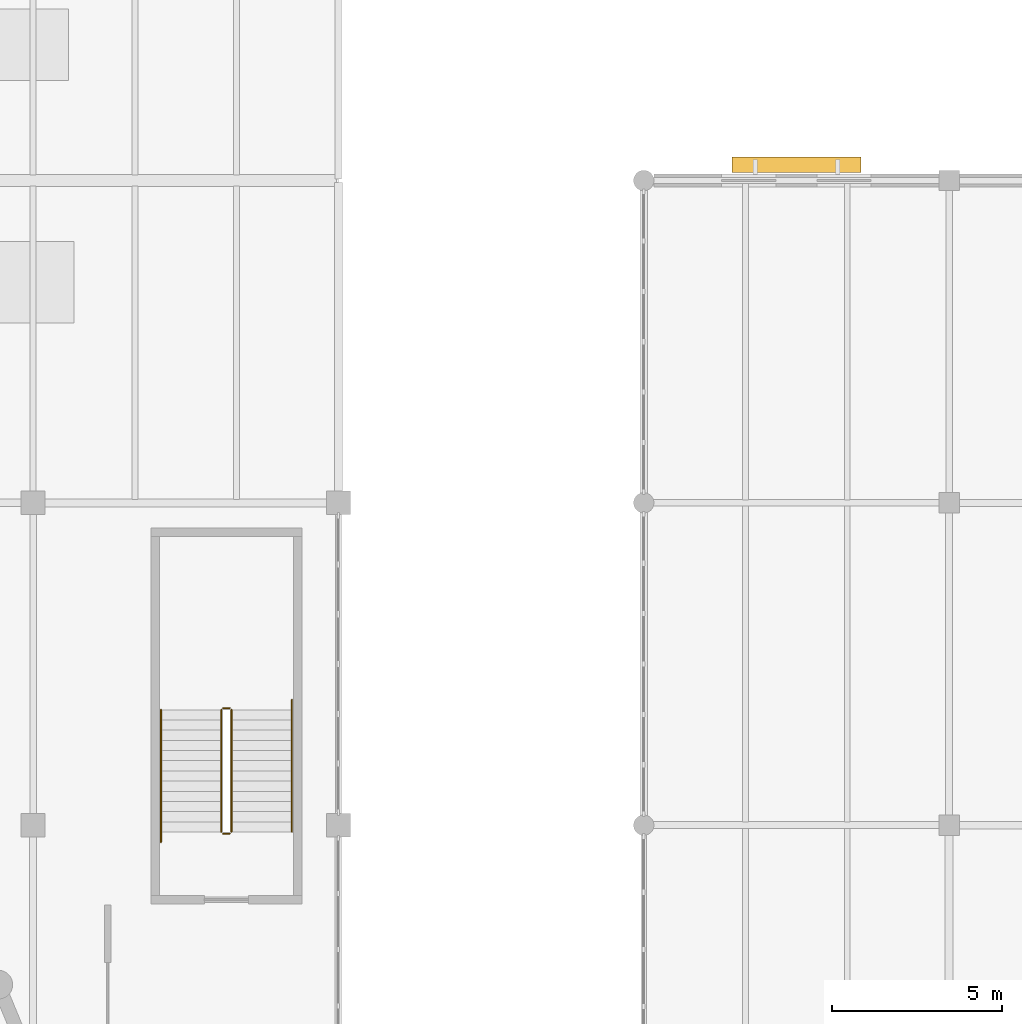
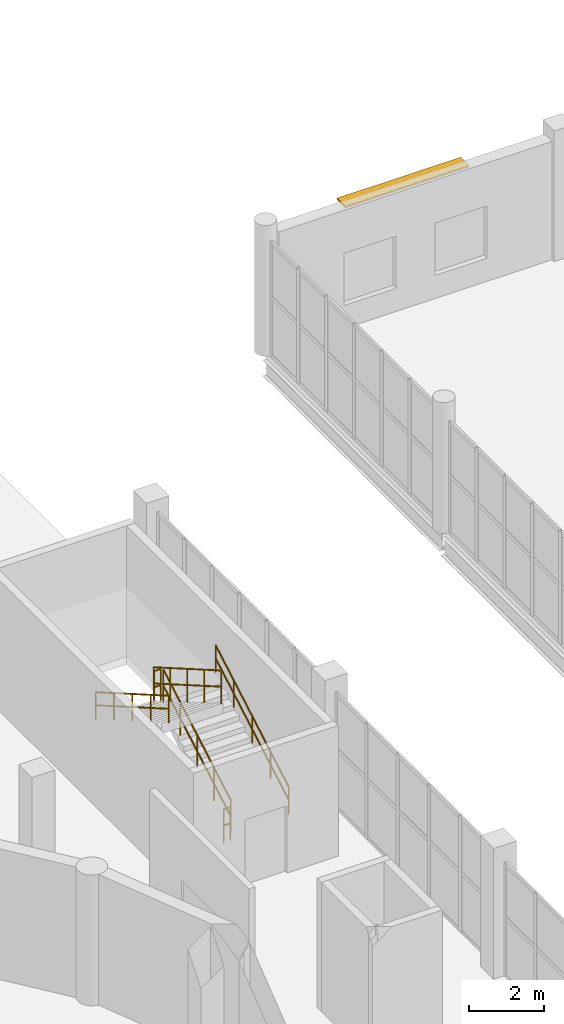
# One storey, part 71 of 73: 6 railings, 1 shading device.
"""IFC4 building model written with IfcOpenShell, lengths in metres."""

from ifc_helpers import new_model, si_unit, direction, frame, origin, origin_2d, place, context, subcontext, project, spatial, rectangle, circle, extrude, material, layer, layer_set, type_object, element, save


model = new_model("IFC4")

# Units and contexts
model_context = context("Model", 3, precision=1e-05, world=origin(), true_north=direction((0.0, 1.0)))
body_context = subcontext(model_context, "Body", "Model", "MODEL_VIEW")
ifc_project = project(units=[si_unit("LENGTHUNIT", "METRE"), si_unit("AREAUNIT", "SQUARE_METRE"), si_unit("VOLUMEUNIT", "CUBIC_METRE"), si_unit("PLANEANGLEUNIT", "RADIAN"), si_unit("MASSUNIT", "GRAM", prefix="KILO")], contexts=[model_context])

# Site, building, storey
site_placement = place(None, origin())
site = spatial("IfcSite", under=ifc_project, at=site_placement, CompositionType="ELEMENT")
building_placement = place(site_placement, origin())
building = spatial("IfcBuilding", under=site, at=building_placement, Name="Marnock Terrace Opera House", CompositionType="ELEMENT")
storey_placement = place(building_placement, frame((0.0, 0.0, 14.699951171875)))
storey = spatial("IfcBuildingStorey", under=building, at=storey_placement, Name="L03", CompositionType="ELEMENT", Elevation=14.699951171875)

# Railings
ifc_material_1 = material(Name="Architectural bronze balustrade")
railing_type_1 = type_object("IfcRailingType", Name="RL-GUARD-1100", PredefinedType="GUARDRAIL", material=ifc_material_1)
railing_1_placement = place(storey_placement, frame((105.85009765625, 74.800048828125, 0.173095703125)))
element("IfcRailing", 1, at=railing_1_placement, inside=storey, type_object=railing_type_1, Name="L03 ST-04 stair guard 1", PredefinedType="GUARDRAIL", context=body_context, shape_type="SweptSolid", body=[
    extrude(circle(Radius=0.02392578125, at=origin_2d()), frame((0.0, 0.0, 1.076171875), z_axis=(0.0, 0.866178740119, 0.499734319579), x_axis=(-1.0, 0.0, 0.0)), (0.0, 0.0, 1.0), 4.156005859375),
    extrude(circle(Radius=0.02392578125, at=origin_2d()), frame((0.0, 0.0, 0.550048828125), z_axis=(0.0, 0.866178740119, 0.499734319579), x_axis=(-1.0, 0.0, 0.0)), (0.0, 0.0, 1.0), 4.156005859375),
    extrude(circle(Radius=0.02099609375, at=origin_2d()), origin(), (0.0, 0.0, 1.0), 1.052001953125),
    extrude(circle(Radius=0.02099609375, at=origin_2d()), frame((0.0, 0.89990234375, 0.519287109375)), (0.0, 0.0, 1.0), 1.052001953125),
    extrude(circle(Radius=0.02099609375, at=origin_2d()), frame((0.0, 1.7998046875, 1.03857421875)), (0.0, 0.0, 1.0), 1.052001953125),
    extrude(circle(Radius=0.02099609375, at=origin_2d()), frame((0.0, 2.699951171875, 1.5576171875)), (0.0, 0.0, 1.0), 1.052001953125),
    extrude(circle(Radius=0.02099609375, at=origin_2d()), frame((0.0, 3.599853515625, 2.076904296875)), (0.0, 0.0, 1.0), 1.052001953125),
])
railing_2_placement = place(storey_placement, frame((105.800048828125, 78.449951171875, 2.25)))
element("IfcRailing", 2, at=railing_2_placement, inside=storey, type_object=railing_type_1, Name="L03 ST-04 stair guard 2", PredefinedType="GUARDRAIL", context=body_context, shape_type="SweptSolid", body=[
    extrude(circle(Radius=0.02392578125, at=origin_2d()), frame((0.0, 0.0, 1.076171875), z_axis=(-1.0, 0.0, 0.0), x_axis=(0.0, -1.0, 0.0)), (0.0, 0.0, 1.0), 0.199951171875),
    extrude(circle(Radius=0.02392578125, at=origin_2d()), frame((0.0, 0.0, 0.550048828125), z_axis=(-1.0, 0.0, 0.0), x_axis=(0.0, -1.0, 0.0)), (0.0, 0.0, 1.0), 0.199951171875),
    extrude(circle(Radius=0.02099609375, at=origin_2d()), origin(), (0.0, 0.0, 1.0), 1.052001953125),
    extrude(circle(Radius=0.02099609375, at=origin_2d()), frame((-0.199951171875, 0.0, 0.0)), (0.0, 0.0, 1.0), 1.052001953125),
])
railing_3_placement = place(storey_placement, frame((105.550048828125, 78.39990234375, 2.423095703125)))
element("IfcRailing", 3, at=railing_3_placement, inside=storey, type_object=railing_type_1, Name="L03 ST-04 stair guard 3", PredefinedType="GUARDRAIL", context=body_context, shape_type="SweptSolid", body=[
    extrude(circle(Radius=0.02392578125, at=origin_2d()), frame((0.0, 0.0, 1.076171875), z_axis=(0.0, -0.866178740119, 0.499734319579), x_axis=(1.0, 0.0, 0.0)), (0.0, 0.0, 1.0), 4.156005859375),
    extrude(circle(Radius=0.02392578125, at=origin_2d()), frame((0.0, 0.0, 0.550048828125), z_axis=(0.0, -0.866178740119, 0.499734319579), x_axis=(1.0, 0.0, 0.0)), (0.0, 0.0, 1.0), 4.156005859375),
    extrude(circle(Radius=0.02099609375, at=origin_2d()), origin(), (0.0, 0.0, 1.0), 1.052001953125),
    extrude(circle(Radius=0.02099609375, at=origin_2d()), frame((0.0, -0.89990234375, 0.519287109375)), (0.0, 0.0, 1.0), 1.052001953125),
    extrude(circle(Radius=0.02099609375, at=origin_2d()), frame((0.0, -1.7998046875, 1.03857421875)), (0.0, 0.0, 1.0), 1.052001953125),
    extrude(circle(Radius=0.02099609375, at=origin_2d()), frame((0.0, -2.699951171875, 1.5576171875)), (0.0, 0.0, 1.0), 1.052001953125),
    extrude(circle(Radius=0.02099609375, at=origin_2d()), frame((0.0, -3.599853515625, 2.076904296875)), (0.0, 0.0, 1.0), 1.052001953125),
])
railing_4_placement = place(storey_placement, frame((105.800048828125, 74.75, 0.0)))
element("IfcRailing", 4, at=railing_4_placement, inside=storey, type_object=railing_type_1, Name="L03 ST-04 stair guard 4", PredefinedType="GUARDRAIL", context=body_context, shape_type="SweptSolid", body=[
    extrude(circle(Radius=0.02392578125, at=origin_2d()), frame((0.0, 0.0, 1.076171875), z_axis=(-1.0, 0.0, 0.0), x_axis=(0.0, -1.0, 0.0)), (0.0, 0.0, 1.0), 0.199951171875),
    extrude(circle(Radius=0.02392578125, at=origin_2d()), frame((0.0, 0.0, 0.550048828125), z_axis=(-1.0, 0.0, 0.0), x_axis=(0.0, -1.0, 0.0)), (0.0, 0.0, 1.0), 0.199951171875),
    extrude(circle(Radius=0.02099609375, at=origin_2d()), origin(), (0.0, 0.0, 1.0), 1.052001953125),
    extrude(circle(Radius=0.02099609375, at=origin_2d()), frame((-0.199951171875, 0.0, 0.0)), (0.0, 0.0, 1.0), 1.052001953125),
])
railing_type_2 = type_object("IfcRailingType", Name="RL-HAND-900", PredefinedType="HANDRAIL", material=ifc_material_1)
railing_5_placement = place(storey_placement, frame((107.6298828125, 74.800048828125, 0.18505859375)))
element("IfcRailing", 5, at=railing_5_placement, inside=storey, type_object=railing_type_2, Name="L03 ST-04 stair handrail 1", PredefinedType="HANDRAIL", context=body_context, shape_type="SweptSolid", body=[
    extrude(circle(Radius=0.02392578125, at=origin_2d()), frame((0.0, 0.0, 0.8759765625), z_axis=(0.0, 0.866180169578, 0.49973184192), x_axis=(-1.0, 0.0, 0.0)), (0.0, 0.0, 1.0), 4.50244140625),
    extrude(circle(Radius=0.02392578125, at=origin_2d()), frame((0.0, 0.0, 0.449951171875), z_axis=(0.0, 0.866180169578, 0.49973184192), x_axis=(-1.0, 0.0, 0.0)), (0.0, 0.0, 1.0), 4.50244140625),
    extrude(circle(Radius=0.02099609375, at=origin_2d()), origin(), (0.0, 0.0, 1.0), 0.851806640625),
    extrude(circle(Radius=0.02099609375, at=origin_2d()), frame((0.0, 0.97509765625, 0.5625)), (0.0, 0.0, 1.0), 0.851806640625),
    extrude(circle(Radius=0.02099609375, at=origin_2d()), frame((0.0, 1.949951171875, 1.125)), (0.0, 0.0, 1.0), 0.851806640625),
    extrude(circle(Radius=0.02099609375, at=origin_2d()), frame((0.0, 2.9248046875, 1.6875)), (0.0, 0.0, 1.0), 0.851806640625),
    extrude(circle(Radius=0.02099609375, at=origin_2d()), frame((0.0, 3.89990234375, 2.25)), (0.0, 0.0, 1.0), 0.851806640625),
])
railing_6_placement = place(storey_placement, frame((103.77001953125, 78.39990234375, 2.43505859375)))
element("IfcRailing", 6, at=railing_6_placement, inside=storey, type_object=railing_type_2, Name="L03 ST-04 stair handrail 2", PredefinedType="HANDRAIL", context=body_context, shape_type="SweptSolid", body=[
    extrude(circle(Radius=0.02392578125, at=origin_2d()), frame((0.0, 0.0, 0.8759765625), z_axis=(0.0, -0.866180169578, 0.49973184192), x_axis=(1.0, 0.0, 0.0)), (0.0, 0.0, 1.0), 4.50244140625),
    extrude(circle(Radius=0.02392578125, at=origin_2d()), frame((0.0, 0.0, 0.449951171875), z_axis=(0.0, -0.866180169578, 0.49973184192), x_axis=(1.0, 0.0, 0.0)), (0.0, 0.0, 1.0), 4.50244140625),
    extrude(circle(Radius=0.02099609375, at=origin_2d()), origin(), (0.0, 0.0, 1.0), 0.851806640625),
    extrude(circle(Radius=0.02099609375, at=origin_2d()), frame((0.0, -0.97509765625, 0.5625)), (0.0, 0.0, 1.0), 0.851806640625),
    extrude(circle(Radius=0.02099609375, at=origin_2d()), frame((0.0, -1.949951171875, 1.125)), (0.0, 0.0, 1.0), 0.851806640625),
    extrude(circle(Radius=0.02099609375, at=origin_2d()), frame((0.0, -2.9248046875, 1.6875)), (0.0, 0.0, 1.0), 0.851806640625),
    extrude(circle(Radius=0.02099609375, at=origin_2d()), frame((0.0, -3.89990234375, 2.25)), (0.0, 0.0, 1.0), 0.851806640625),
])

# Shading device
ifc_material_2 = material(Name="Architectural cast bronze")
ifc_layer = layer(ifc_material_2, 0.054931640625)
ifc_layer_set = layer_set([ifc_layer], Name="Architectural cast bronze")
shading_device_type = type_object("IfcShadingDeviceType", Name="SHD-LOUVRE-3800", PredefinedType="JALOUSIE", material=ifc_layer_set)
shading_device_placement = place(storey_placement, frame((122.5, 94.465087890625, 3.5498046875), z_axis=(0.0, 0.0, 1.0), x_axis=(1.0, 0.0, 0.0)))
element("IfcShadingDevice", 7, at=shading_device_placement, inside=storey, type_object=shading_device_type, Name="Adelaide sun-control bronze brise-soleil EW-V5N-L03-1", PredefinedType="JALOUSIE", context=body_context, shape_type="SweptSolid", body=[
    extrude(rectangle(XDim=3.800048828125, YDim=0.449951171875, at=origin_2d()), origin(), (0.0, 0.0, 1.0), 0.054931640625),
])

save(model, "model.ifc")
